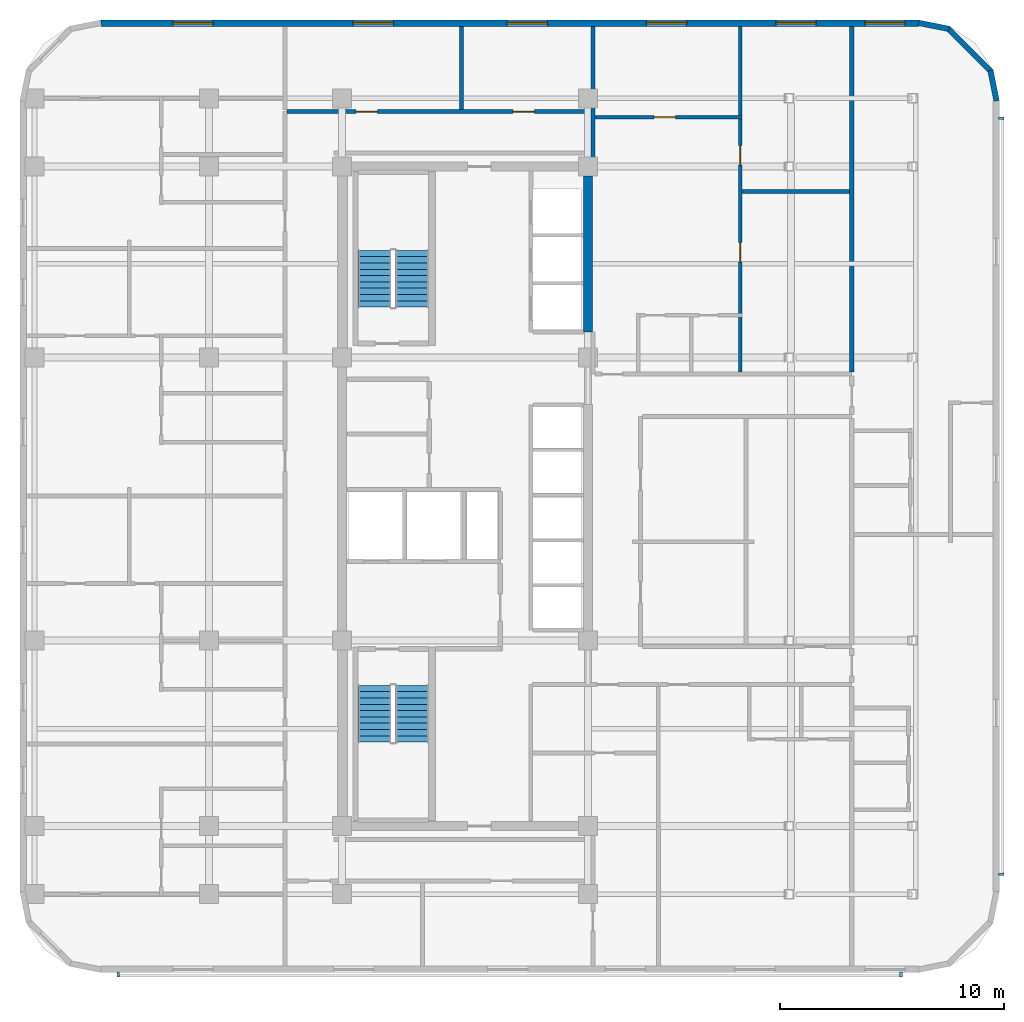
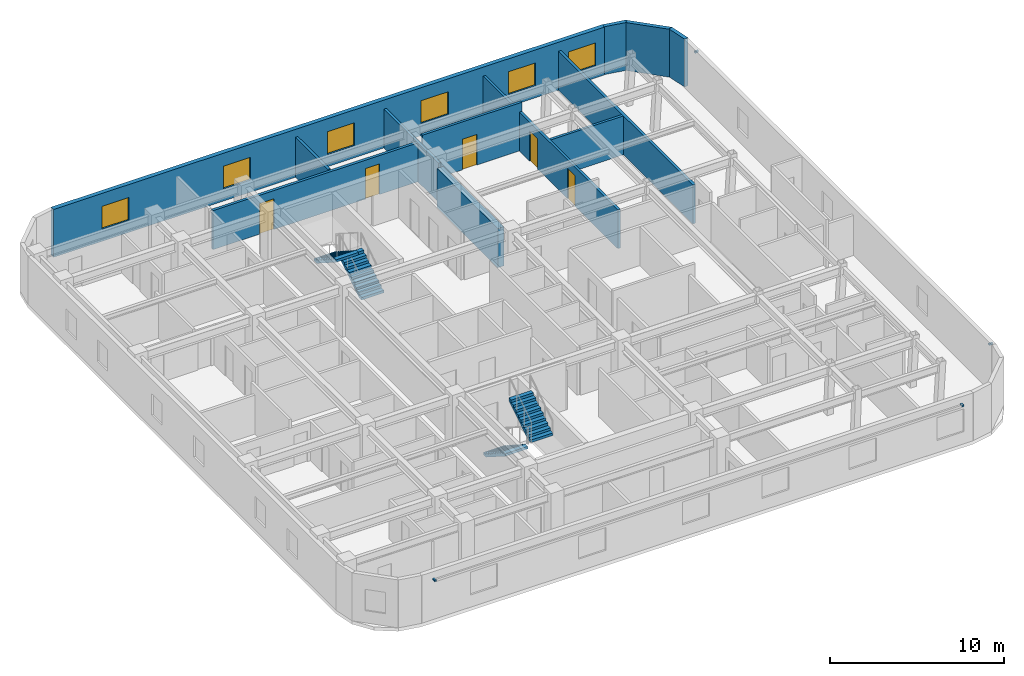
# One storey, part 7 of 11: 12 walls, 6 windows, 5 doors, 4 discrete accessories, 4 stair flights, 11 openings, 2 elements without a shape of their own.
"""IFC4 building model written with IfcOpenShell, lengths in metres."""

from ifc_helpers import new_model, si_unit, direction, frame, frame_2d, origin, origin_2d, place, context, subcontext, project, spatial, polyline, rectangle, outline, extrude, material, layer, layer_set, type_object, element, fill, aggregate, save


model = new_model("IFC4")

# Units and contexts
model_context = context("Model", 3, precision=1e-05, world=origin(), true_north=direction((0.0, 1.0)))
body_context = subcontext(model_context, "Body", "Model", "MODEL_VIEW")
ifc_project = project(units=[si_unit("LENGTHUNIT", "METRE"), si_unit("AREAUNIT", "SQUARE_METRE"), si_unit("VOLUMEUNIT", "CUBIC_METRE"), si_unit("PLANEANGLEUNIT", "RADIAN"), si_unit("MASSUNIT", "GRAM", prefix="KILO")], contexts=[model_context])

# Site, building, storey
site_placement = place(None, origin())
site = spatial("IfcSite", under=ifc_project, at=site_placement, CompositionType="ELEMENT")
building_placement = place(site_placement, origin())
building = spatial("IfcBuilding", under=site, at=building_placement, Name="Ochreholt Gables", CompositionType="ELEMENT")
storey_placement = place(building_placement, frame((0.0, 0.0, 121.199951171875)))
storey = spatial("IfcBuildingStorey", under=building, at=storey_placement, Name="L31", CompositionType="ELEMENT", Elevation=121.199951171875)

# Wall
ifc_material_1 = material(Name="Concrete 60 MPa", Category="concrete")
ifc_layer_1 = layer(ifc_material_1, 0.39990234375, Name="Concrete 60 MPa")
ifc_layer_set_1 = layer_set([ifc_layer_1], Name="Concrete 60 MPa")
wall_type_1 = type_object("IfcWallType", Name="WALL-CSW-400", PredefinedType="SHEAR", material=ifc_layer_set_1)
wall_1_placement = place(storey_placement, frame((35.199951171875, 31.35009765625, 0.0), z_axis=(0.0, 0.0, 1.0), x_axis=(0.0, 1.0, 0.0)))
element("IfcWall", 1, at=wall_1_placement, inside=storey, type_object=wall_type_1, Name="L31 Core North-East Shear Wall", PredefinedType="SHEAR", context=body_context, shape_type="SweptSolid", body=[
    extrude(rectangle(XDim=6.974853515625, YDim=0.39990234375, at=frame_2d((3.4873046875, 0.0))), origin(), (0.0, 0.0, 1.0), 2.7490234375),
])

# Wall, openings, windows
ifc_material_2 = material(Name="Precast concrete 40 MPa", Category="concrete")
ifc_layer_2 = layer(ifc_material_2, 0.280029296875, Name="Precast concrete 40 MPa")
ifc_layer_set_2 = layer_set([ifc_layer_2], Name="Precast concrete 40 MPa")
wall_type_2 = type_object("IfcWallType", Name="WALL-EXT-280", PredefinedType="SOLIDWALL", material=ifc_layer_set_2)
wall_2_placement = place(storey_placement, frame((49.97998046875, 45.159912109375, 0.0), z_axis=(0.0, 0.0, 1.0), x_axis=(-1.0, 0.0, 0.0)))
wall_2 = element("IfcWall", 2, at=wall_2_placement, inside=storey, type_object=wall_type_2, Name="L31 North Exterior Wall", PredefinedType="SOLIDWALL", context=body_context, shape_type="SweptSolid", body=[
    extrude(rectangle(XDim=36.56005859375, YDim=0.280029296875, at=frame_2d((18.280029296875, 0.0))), origin(), (0.0, 0.0, 1.0), 3.360107421875),
])
opening_1_placement = place(wall_2_placement, frame((31.544921875, 0.0, 0.85009765625)))
opening_1 = element("IfcOpeningElement", 3, at=opening_1_placement, cuts=wall_2, Name="Opening WN-1", PredefinedType="OPENING", context=body_context, shape_type="SweptSolid", body=[
    extrude(rectangle(XDim=1.800048828125, YDim=1.60009765625, at=frame_2d((0.89990234375, 0.800048828125))), frame((0.0, 0.14990234375, 0.0), z_axis=(0.0, -1.0, 0.0), x_axis=(1.0, 0.0, 0.0)), (0.0, 0.0, 1.0), 0.300048828125),
])
opening_2_placement = place(wall_2_placement, frame((23.47998046875, 0.0, 0.85009765625)))
opening_2 = element("IfcOpeningElement", 4, at=opening_2_placement, cuts=wall_2, Name="Opening WN-1", PredefinedType="OPENING", context=body_context, shape_type="SweptSolid", body=[
    extrude(rectangle(XDim=1.800048828125, YDim=1.60009765625, at=frame_2d((0.89990234375, 0.800048828125))), frame((0.0, 0.14990234375, 0.0), z_axis=(0.0, -1.0, 0.0), x_axis=(1.0, 0.0, 0.0)), (0.0, 0.0, 1.0), 0.300048828125),
])
opening_3_placement = place(wall_2_placement, frame((16.594970703125, 0.0, 0.85009765625)))
opening_3 = element("IfcOpeningElement", 5, at=opening_3_placement, cuts=wall_2, Name="Opening WN-1", PredefinedType="OPENING", context=body_context, shape_type="SweptSolid", body=[
    extrude(rectangle(XDim=1.800048828125, YDim=1.60009765625, at=frame_2d((0.89990234375, 0.800048828125))), frame((0.0, 0.14990234375, 0.0), z_axis=(0.0, -1.0, 0.0), x_axis=(1.0, 0.0, 0.0)), (0.0, 0.0, 1.0), 0.300048828125),
])
opening_4_placement = place(wall_2_placement, frame((10.364990234375, 0.0, 0.85009765625)))
opening_4 = element("IfcOpeningElement", 6, at=opening_4_placement, cuts=wall_2, Name="Opening WN-1", PredefinedType="OPENING", context=body_context, shape_type="SweptSolid", body=[
    extrude(rectangle(XDim=1.800048828125, YDim=1.60009765625, at=frame_2d((0.89990234375, 0.800048828125))), frame((0.0, 0.14990234375, 0.0), z_axis=(0.0, -1.0, 0.0), x_axis=(1.0, 0.0, 0.0)), (0.0, 0.0, 1.0), 0.300048828125),
])
opening_5_placement = place(wall_2_placement, frame((4.574951171875, 0.0, 0.85009765625)))
opening_5 = element("IfcOpeningElement", 7, at=opening_5_placement, cuts=wall_2, Name="Opening WN-1", PredefinedType="OPENING", context=body_context, shape_type="SweptSolid", body=[
    extrude(rectangle(XDim=1.800048828125, YDim=1.60009765625, at=frame_2d((0.89990234375, 0.800048828125))), frame((0.0, 0.14990234375, 0.0), z_axis=(0.0, -1.0, 0.0), x_axis=(1.0, 0.0, 0.0)), (0.0, 0.0, 1.0), 0.300048828125),
])
opening_6_placement = place(wall_2_placement, frame((0.590087890625, 0.0, 0.85009765625)))
opening_6 = element("IfcOpeningElement", 8, at=opening_6_placement, cuts=wall_2, Name="Opening WN-1", PredefinedType="OPENING", context=body_context, shape_type="SweptSolid", body=[
    extrude(rectangle(XDim=1.800048828125, YDim=1.60009765625, at=frame_2d((0.89990234375, 0.800048828125))), frame((0.0, 0.14990234375, 0.0), z_axis=(0.0, -1.0, 0.0), x_axis=(1.0, 0.0, 0.0)), (0.0, 0.0, 1.0), 0.300048828125),
])
ifc_material_3 = material(Name="Triple-Glazed Thermally Broken Aluminium Window", Category="aluminium")
window_type = type_object("IfcWindowType", Name="WIN-RES-1800", PartitioningType="SINGLE_PANEL", PredefinedType="WINDOW", material=ifc_material_3)
window_1_placement = place(opening_1_placement, origin())
window_1 = element("IfcWindow", 9, at=window_1_placement, inside=storey, type_object=window_type, Name="L31 Window W-EXT-N-L31-1", OverallHeight=1.60009765625, OverallWidth=1.800048828125, PartitioningType="SINGLE_PANEL", PredefinedType="WINDOW", context=body_context, shape_type="SweptSolid", body=[
    extrude(rectangle(XDim=1.800048828125, YDim=1.60009765625, at=frame_2d((0.89990234375, 0.800048828125))), frame((0.0, 0.030029296875, 0.0), z_axis=(0.0, -1.0, 0.0), x_axis=(1.0, 0.0, 0.0)), (0.0, 0.0, 1.0), 0.06005859375),
])
fill(opening_1, window_1)
window_2_placement = place(opening_2_placement, origin())
window_2 = element("IfcWindow", 10, at=window_2_placement, inside=storey, type_object=window_type, Name="L31 Window W-EXT-N-L31-2", OverallHeight=1.60009765625, OverallWidth=1.800048828125, PartitioningType="SINGLE_PANEL", PredefinedType="WINDOW", context=body_context, shape_type="SweptSolid", body=[
    extrude(rectangle(XDim=1.800048828125, YDim=1.60009765625, at=frame_2d((0.89990234375, 0.800048828125))), frame((0.0, 0.030029296875, 0.0), z_axis=(0.0, -1.0, 0.0), x_axis=(1.0, 0.0, 0.0)), (0.0, 0.0, 1.0), 0.06005859375),
])
fill(opening_2, window_2)
window_3_placement = place(opening_3_placement, origin())
window_3 = element("IfcWindow", 11, at=window_3_placement, inside=storey, type_object=window_type, Name="L31 Window W-EXT-N-L31-3", OverallHeight=1.60009765625, OverallWidth=1.800048828125, PartitioningType="SINGLE_PANEL", PredefinedType="WINDOW", context=body_context, shape_type="SweptSolid", body=[
    extrude(rectangle(XDim=1.800048828125, YDim=1.60009765625, at=frame_2d((0.89990234375, 0.800048828125))), frame((0.0, 0.030029296875, 0.0), z_axis=(0.0, -1.0, 0.0), x_axis=(1.0, 0.0, 0.0)), (0.0, 0.0, 1.0), 0.06005859375),
])
fill(opening_3, window_3)
window_4_placement = place(opening_4_placement, origin())
window_4 = element("IfcWindow", 12, at=window_4_placement, inside=storey, type_object=window_type, Name="L31 Window W-EXT-N-L31-4", OverallHeight=1.60009765625, OverallWidth=1.800048828125, PartitioningType="SINGLE_PANEL", PredefinedType="WINDOW", context=body_context, shape_type="SweptSolid", body=[
    extrude(rectangle(XDim=1.800048828125, YDim=1.60009765625, at=frame_2d((0.89990234375, 0.800048828125))), frame((0.0, 0.030029296875, 0.0), z_axis=(0.0, -1.0, 0.0), x_axis=(1.0, 0.0, 0.0)), (0.0, 0.0, 1.0), 0.06005859375),
])
fill(opening_4, window_4)
window_5_placement = place(opening_5_placement, origin())
window_5 = element("IfcWindow", 13, at=window_5_placement, inside=storey, type_object=window_type, Name="L31 Window W-EXT-N-L31-5", OverallHeight=1.60009765625, OverallWidth=1.800048828125, PartitioningType="SINGLE_PANEL", PredefinedType="WINDOW", context=body_context, shape_type="SweptSolid", body=[
    extrude(rectangle(XDim=1.800048828125, YDim=1.60009765625, at=frame_2d((0.89990234375, 0.800048828125))), frame((0.0, 0.030029296875, 0.0), z_axis=(0.0, -1.0, 0.0), x_axis=(1.0, 0.0, 0.0)), (0.0, 0.0, 1.0), 0.06005859375),
])
fill(opening_5, window_5)
window_6_placement = place(opening_6_placement, origin())
window_6 = element("IfcWindow", 14, at=window_6_placement, inside=storey, type_object=window_type, Name="L31 Window W-EXT-N-L31-6", OverallHeight=1.60009765625, OverallWidth=1.800048828125, PartitioningType="SINGLE_PANEL", PredefinedType="WINDOW", context=body_context, shape_type="SweptSolid", body=[
    extrude(rectangle(XDim=1.800048828125, YDim=1.60009765625, at=frame_2d((0.89990234375, 0.800048828125))), frame((0.0, 0.030029296875, 0.0), z_axis=(0.0, -1.0, 0.0), x_axis=(1.0, 0.0, 0.0)), (0.0, 0.0, 1.0), 0.06005859375),
])
fill(opening_6, window_6)

# Walls
ifc_layer_3 = layer(ifc_material_2, 0.25, Name="Precast concrete 40 MPa")
ifc_layer_set_3 = layer_set([ifc_layer_3], Name="Precast concrete 40 MPa")
wall_type_3 = type_object("IfcWallType", Name="WALL-EXT-CNR", PredefinedType="SOLIDWALL", material=ifc_layer_set_3)
wall_3_placement = place(storey_placement, frame((53.475830078125, 41.68359375, 0.0), z_axis=(0.0, 0.0, 1.0), x_axis=(-0.195000137217, 0.980803214965, 0.0)))
element("IfcWall", 15, at=wall_3_placement, inside=storey, type_object=wall_type_3, Name="L31 Rounded Corner Wall NE-1", PredefinedType="SOLIDWALL", context=body_context, shape_type="SweptSolid", body=[
    extrude(rectangle(XDim=1.388427734375, YDim=0.25, at=frame_2d((0.6943359375, 0.0))), origin(), (0.0, 0.0, 1.0), 3.360107421875),
])
wall_4_placement = place(storey_placement, frame((53.23193359375, 42.9951171875, 0.0), z_axis=(0.0, 0.0, 1.0), x_axis=(-0.707151344399, 0.707062215165, 0.0)))
element("IfcWall", 16, at=wall_4_placement, inside=storey, type_object=wall_type_3, Name="L31 Rounded Corner Wall NE-2", PredefinedType="SOLIDWALL", context=body_context, shape_type="SweptSolid", body=[
    extrude(rectangle(XDim=2.7392578125, YDim=0.25, at=frame_2d((1.36962890625, 0.0))), origin(), (0.0, 0.0, 1.0), 3.360107421875),
])
wall_5_placement = place(storey_placement, frame((51.345458984375, 44.905029296875, 0.0), z_axis=(0.0, 0.0, 1.0), x_axis=(-0.980809899341, 0.19496651342, 0.0)))
element("IfcWall", 17, at=wall_5_placement, inside=storey, type_object=wall_type_3, Name="L31 Rounded Corner Wall NE-3", PredefinedType="SOLIDWALL", context=body_context, shape_type="SweptSolid", body=[
    extrude(rectangle(XDim=1.388671875, YDim=0.25, at=frame_2d((0.6943359375, 0.0))), origin(), (0.0, 0.0, 1.0), 3.360107421875),
])

# Wall, openings, doors
ifc_material_4 = material(Name="Fire-Rated Gypsum Acoustic Partition", Category="gypsum")
ifc_layer_4 = layer(ifc_material_4, 0.179931640625, Name="Fire-Rated Gypsum Acoustic Partition")
ifc_layer_set_4 = layer_set([ifc_layer_4], Name="Fire-Rated Gypsum Acoustic Partition")
wall_type_4 = type_object("IfcWallType", Name="WALL-INT-CR180", PredefinedType="STANDARD", material=ifc_layer_set_4)
wall_6_placement = place(storey_placement, frame((21.739990234375, 41.199951171875, 0.0), z_axis=(0.0, 0.0, 1.0), x_axis=(1.0, 0.0, 0.0)))
wall_6 = element("IfcWall", 18, at=wall_6_placement, inside=storey, type_object=wall_type_4, Name="L31 Interior Wall WI-C2WCN-L31", PredefinedType="STANDARD", context=body_context, shape_type="SweptSolid", body=[
    extrude(rectangle(XDim=13.679931640625, YDim=0.179931640625, at=frame_2d((6.83984375, 0.0))), origin(), (0.0, 0.0, 1.0), 2.73095703125),
])
opening_7_placement = place(wall_6_placement, frame((3.090087890625, 0.0, 0.0)))
opening_7 = element("IfcOpeningElement", 19, at=opening_7_placement, cuts=wall_6, Name="Opening D-GN1", PredefinedType="OPENING", context=body_context, shape_type="SweptSolid", body=[
    extrude(rectangle(XDim=0.949951171875, YDim=2.14990234375, at=frame_2d((0.47509765625, 1.074951171875))), frame((0.0, 0.099853515625, 0.0), z_axis=(0.0, -1.0, 0.0), x_axis=(1.0, 0.0, 0.0)), (0.0, 0.0, 1.0), 0.199951171875),
])
opening_8_placement = place(wall_6_placement, frame((10.110107421875, 0.0, 0.0)))
opening_8 = element("IfcOpeningElement", 20, at=opening_8_placement, cuts=wall_6, Name="Opening D-GN1", PredefinedType="OPENING", context=body_context, shape_type="SweptSolid", body=[
    extrude(rectangle(XDim=0.949951171875, YDim=2.14990234375, at=frame_2d((0.47509765625, 1.074951171875))), frame((0.0, 0.099853515625, 0.0), z_axis=(0.0, -1.0, 0.0), x_axis=(1.0, 0.0, 0.0)), (0.0, 0.0, 1.0), 0.199951171875),
])
ifc_material_5 = material(Name="Engineered Oak Timber", Category="wood")
door_type_1 = type_object("IfcDoorType", Name="DR-INT-GEN950", OperationType="NOTDEFINED", PredefinedType="DOOR", material=ifc_material_5)
door_1_placement = place(opening_7_placement, origin())
door_1 = element("IfcDoor", 21, at=door_1_placement, inside=storey, type_object=door_type_1, Name="L31 Door D-C2NRS1-L31", OperationType="SINGLE_SWING_RIGHT", OverallHeight=2.14990234375, OverallWidth=0.949951171875, PredefinedType="DOOR", context=body_context, shape_type="SweptSolid", body=[
    extrude(rectangle(XDim=0.949951171875, YDim=2.14990234375, at=frame_2d((0.47509765625, 1.074951171875))), frame((0.0, 0.02490234375, 0.0), z_axis=(0.0, -1.0, 0.0), x_axis=(1.0, 0.0, 0.0)), (0.0, 0.0, 1.0), 0.050048828125),
])
fill(opening_7, door_1)
door_2_placement = place(opening_8_placement, origin())
door_2 = element("IfcDoor", 22, at=door_2_placement, inside=storey, type_object=door_type_1, Name="L31 Door D-C2NRS2-L31", OperationType="SINGLE_SWING_LEFT", OverallHeight=2.14990234375, OverallWidth=0.949951171875, PredefinedType="DOOR", context=body_context, shape_type="SweptSolid", body=[
    extrude(rectangle(XDim=0.949951171875, YDim=2.14990234375, at=frame_2d((0.47509765625, 1.074951171875))), frame((0.0, 0.02490234375, 0.0), z_axis=(0.0, -1.0, 0.0), x_axis=(1.0, 0.0, 0.0)), (0.0, 0.0, 1.0), 0.050048828125),
])
fill(opening_8, door_2)

# Walls
ifc_material_6 = material(Name="Double-Stud Acoustic Demising Wall", Category="gypsum")
ifc_layer_5 = layer(ifc_material_6, 0.179931640625, Name="Double-Stud Acoustic Demising Wall")
ifc_layer_set_5 = layer_set([ifc_layer_5], Name="Double-Stud Acoustic Demising Wall")
wall_type_5 = type_object("IfcWallType", Name="WALL-INT-DM180", PredefinedType="PARTITIONING", material=ifc_layer_set_5)
wall_7_placement = place(storey_placement, frame((35.419921875, 38.75, 0.0), z_axis=(0.0, 0.0, 1.0), x_axis=(0.0, 1.0, 0.0)))
element("IfcWall", 23, at=wall_7_placement, inside=storey, type_object=wall_type_5, Name="L31 Interior Wall WI-C2NEN-L31", PredefinedType="PARTITIONING", context=body_context, shape_type="SweptSolid", body=[
    extrude(rectangle(XDim=6.27001953125, YDim=0.179931640625, at=frame_2d((3.135009765625, 0.0))), origin(), (0.0, 0.0, 1.0), 2.73095703125),
])
wall_8_placement = place(storey_placement, frame((47.0, 29.550048828125, 0.0), z_axis=(0.0, 0.0, 1.0), x_axis=(0.0, 1.0, 0.0)))
element("IfcWall", 24, at=wall_8_placement, inside=storey, type_object=wall_type_5, Name="L31 Interior Wall WI-C2FEW3-L31", PredefinedType="PARTITIONING", context=body_context, shape_type="SweptSolid", body=[
    extrude(rectangle(XDim=15.469970703125, YDim=0.179931640625, at=frame_2d((7.73486328125, 0.0))), origin(), (0.0, 0.0, 1.0), 2.73095703125),
])

# Wall, openings, doors
ifc_material_7 = material(Name="Gypsum Acoustic Stud Partition", Category="gypsum")
ifc_layer_6 = layer(ifc_material_7, 0.1650390625, Name="Gypsum Acoustic Stud Partition")
ifc_layer_set_6 = layer_set([ifc_layer_6], Name="Gypsum Acoustic Stud Partition")
wall_type_6 = type_object("IfcWallType", Name="WALL-INT-PT165", PredefinedType="PARTITIONING", material=ifc_layer_set_6)
wall_9_placement = place(storey_placement, frame((42.010009765625, 29.550048828125, 0.0), z_axis=(0.0, 0.0, 1.0), x_axis=(0.0, 1.0, 0.0)))
wall_9 = element("IfcWall", 25, at=wall_9_placement, inside=storey, type_object=wall_type_6, Name="L31 Interior Wall WU-L31N1-MNX", PredefinedType="PARTITIONING", context=body_context, shape_type="SweptSolid", body=[
    extrude(rectangle(XDim=15.469970703125, YDim=0.1650390625, at=frame_2d((7.73486328125, 0.0))), origin(), (0.0, 0.0, 1.0), 2.73095703125),
])
opening_9_placement = place(wall_9_placement, frame((4.91748046875, 0.0, 0.0)))
opening_9 = element("IfcOpeningElement", 26, at=opening_9_placement, cuts=wall_9, Name="Opening D-BD2", PredefinedType="OPENING", context=body_context, shape_type="SweptSolid", body=[
    extrude(rectangle(XDim=0.8798828125, YDim=2.139892578125, at=frame_2d((0.43994140625, 1.06982421875))), frame((0.0, 0.092529296875, 0.0), z_axis=(0.0, -1.0, 0.0), x_axis=(1.0, 0.0, 0.0)), (0.0, 0.0, 1.0), 0.18505859375),
])
opening_10_placement = place(wall_9_placement, frame((9.2548828125, 0.0, 0.0)))
opening_10 = element("IfcOpeningElement", 27, at=opening_10_placement, cuts=wall_9, Name="Opening D-BD2", PredefinedType="OPENING", context=body_context, shape_type="SweptSolid", body=[
    extrude(rectangle(XDim=0.8798828125, YDim=2.139892578125, at=frame_2d((0.43994140625, 1.06982421875))), frame((0.0, 0.092529296875, 0.0), z_axis=(0.0, -1.0, 0.0), x_axis=(1.0, 0.0, 0.0)), (0.0, 0.0, 1.0), 0.18505859375),
])
door_type_2 = type_object("IfcDoorType", Name="DR-INT-BED880", OperationType="NOTDEFINED", PredefinedType="DOOR", material=ifc_material_5)
door_3_placement = place(opening_9_placement, origin())
door_3 = element("IfcDoor", 28, at=door_3_placement, inside=storey, type_object=door_type_2, Name="L31 Door D-U-L31N1-BD1", OperationType="SINGLE_SWING_LEFT", OverallHeight=2.139892578125, OverallWidth=0.8798828125, PredefinedType="DOOR", context=body_context, shape_type="SweptSolid", body=[
    extrude(rectangle(XDim=0.8798828125, YDim=2.139892578125, at=frame_2d((0.43994140625, 1.06982421875))), frame((0.0, 0.02490234375, 0.0), z_axis=(0.0, -1.0, 0.0), x_axis=(1.0, 0.0, 0.0)), (0.0, 0.0, 1.0), 0.050048828125),
])
fill(opening_9, door_3)
door_4_placement = place(opening_10_placement, origin())
door_4 = element("IfcDoor", 29, at=door_4_placement, inside=storey, type_object=door_type_2, Name="L31 Door D-U-L31N1-BD2", OperationType="SINGLE_SWING_RIGHT", OverallHeight=2.139892578125, OverallWidth=0.8798828125, PredefinedType="DOOR", context=body_context, shape_type="SweptSolid", body=[
    extrude(rectangle(XDim=0.8798828125, YDim=2.139892578125, at=frame_2d((0.43994140625, 1.06982421875))), frame((0.0, 0.02490234375, 0.0), z_axis=(0.0, -1.0, 0.0), x_axis=(1.0, 0.0, 0.0)), (0.0, 0.0, 1.0), 0.050048828125),
])
fill(opening_10, door_4)

# Wall, opening, door
wall_10_placement = place(storey_placement, frame((35.510009765625, 40.949951171875, 0.0), z_axis=(0.0, 0.0, 1.0), x_axis=(1.0, 0.0, 0.0)))
wall_10 = element("IfcWall", 30, at=wall_10_placement, inside=storey, type_object=wall_type_6, Name="L31 Interior Wall WU-L31N1-DNY", PredefinedType="PARTITIONING", context=body_context, shape_type="SweptSolid", body=[
    extrude(rectangle(XDim=6.580078125, YDim=0.1650390625, at=frame_2d((3.2900390625, 0.0))), origin(), (0.0, 0.0, 1.0), 3.360107421875),
])
opening_11_placement = place(wall_10_placement, frame((2.655029296875, 0.0, 0.0)))
opening_11 = element("IfcOpeningElement", 31, at=opening_11_placement, cuts=wall_10, Name="Opening D-GN1", PredefinedType="OPENING", context=body_context, shape_type="SweptSolid", body=[
    extrude(rectangle(XDim=0.949951171875, YDim=2.14990234375, at=frame_2d((0.47509765625, 1.074951171875))), frame((0.0, 0.092529296875, 0.0), z_axis=(0.0, -1.0, 0.0), x_axis=(1.0, 0.0, 0.0)), (0.0, 0.0, 1.0), 0.18505859375),
])
door_5_placement = place(opening_11_placement, origin())
door_5 = element("IfcDoor", 32, at=door_5_placement, inside=storey, type_object=door_type_1, Name="L31 Door D-U-L31N1-DIN", OperationType="SINGLE_SWING_RIGHT", OverallHeight=2.14990234375, OverallWidth=0.949951171875, PredefinedType="DOOR", context=body_context, shape_type="SweptSolid", body=[
    extrude(rectangle(XDim=0.949951171875, YDim=2.14990234375, at=frame_2d((0.47509765625, 1.074951171875))), frame((0.0, 0.02490234375, 0.0), z_axis=(0.0, -1.0, 0.0), x_axis=(1.0, 0.0, 0.0)), (0.0, 0.0, 1.0), 0.050048828125),
])
fill(opening_11, door_5)

# Walls
wall_11_placement = place(storey_placement, frame((42.090087890625, 37.6298828125, 0.0), z_axis=(0.0, 0.0, 1.0), x_axis=(1.0, 0.0, 0.0)))
element("IfcWall", 33, at=wall_11_placement, inside=storey, type_object=wall_type_6, Name="L31 Interior Wall WU-L31N1-RDV", PredefinedType="PARTITIONING", context=body_context, shape_type="SweptSolid", body=[
    extrude(rectangle(XDim=4.81982421875, YDim=0.1650390625, at=frame_2d((2.409912109375, 0.0))), origin(), (0.0, 0.0, 1.0), 2.73095703125),
])
wall_12_placement = place(storey_placement, frame((29.550048828125, 41.2900390625, 0.0), z_axis=(0.0, 0.0, 1.0), x_axis=(0.0, 1.0, 0.0)))
element("IfcWall", 34, at=wall_12_placement, inside=storey, type_object=wall_type_6, Name="L31 Interior Wall WI-C2PKN-L31", PredefinedType="PARTITIONING", context=body_context, shape_type="SweptSolid", body=[
    extrude(rectangle(XDim=3.72998046875, YDim=0.1650390625, at=frame_2d((1.864990234375, 0.0))), origin(), (0.0, 0.0, 1.0), 2.80908203125),
])

# Stair, stair flights
ifc_material_8 = material(Name="Concrete 40 MPa", Category="concrete")
stair_type_1 = type_object("IfcStairType", Name="STAIR-CORE-ST-1", PredefinedType="HALF_TURN_STAIR", material=ifc_material_8)
stair_1_placement = place(storey_placement, origin())
stair_1 = element("IfcStair", 35, at=stair_1_placement, inside=storey, type_object=stair_type_1, Name="L31 Core Exit Stair 1", PredefinedType="HALF_TURN_STAIR")
stair_flight_type = type_object("IfcStairFlightType", Name="FLIGHT-ST-1480-1800", PredefinedType="STRAIGHT", material=ifc_material_8)
stair_flight_1_placement = place(storey_placement, frame((25.659912109375, 15.5400390625, 0.0), z_axis=(0.0, 0.0, 1.0), x_axis=(0.0, -1.0, 0.0)))
stair_flight_1 = element("IfcStairFlight", 36, at=stair_flight_1_placement, type_object=stair_flight_type, Name="ST-1 flight 1", NumberOfRisers=10, NumberOfTreads=9, PredefinedType="STRAIGHT", RiserHeight=0.18, TreadLength=0.282, context=body_context, shape_type="SweptSolid", body=[
    extrude(outline(polyline([(0.0, 0.0), (0.0, 0.179931640625), (0.281982421875, 0.179931640625), (0.281982421875, 0.360107421875), (0.56396484375, 0.360107421875), (0.56396484375, 0.5400390625), (0.845947265625, 0.5400390625), (0.845947265625, 0.719970703125), (1.1279296875, 0.719970703125), (1.1279296875, 0.89990234375), (1.409912109375, 0.89990234375), (1.409912109375, 1.080078125), (1.69189453125, 1.080078125), (1.69189453125, 1.260009765625), (1.97412109375, 1.260009765625), (1.97412109375, 1.43994140625), (2.256103515625, 1.43994140625), (2.256103515625, 1.6201171875), (2.5380859375, 1.6201171875), (2.5380859375, 1.800048828125), (2.5380859375, 1.442138671875), (0.278564453125, 0.0), (0.0, 0.0)])), frame((0.0, 0.739990234375, 0.0), z_axis=(0.0, -1.0, 0.0), x_axis=(1.0, 0.0, 0.0)), (0.0, 0.0, 1.0), 1.47998046875),
])
stair_flight_2_placement = place(storey_placement, frame((27.340087890625, 13.001953125, 1.800048828125), z_axis=(0.0, 0.0, 1.0), x_axis=(0.0, 1.0, 0.0)))
stair_flight_2 = element("IfcStairFlight", 37, at=stair_flight_2_placement, type_object=stair_flight_type, Name="ST-1 flight 2", NumberOfRisers=10, NumberOfTreads=9, PredefinedType="STRAIGHT", RiserHeight=0.18, TreadLength=0.282, context=body_context, shape_type="SweptSolid", body=[
    extrude(outline(polyline([(0.0, 0.0), (0.0, 0.179931640625), (0.281982421875, 0.179931640625), (0.281982421875, 0.360107421875), (0.56396484375, 0.360107421875), (0.56396484375, 0.5400390625), (0.845947265625, 0.5400390625), (0.845947265625, 0.719970703125), (1.1279296875, 0.719970703125), (1.1279296875, 0.89990234375), (1.409912109375, 0.89990234375), (1.409912109375, 1.080078125), (1.69189453125, 1.080078125), (1.69189453125, 1.260009765625), (1.97412109375, 1.260009765625), (1.97412109375, 1.43994140625), (2.256103515625, 1.43994140625), (2.256103515625, 1.6201171875), (2.5380859375, 1.6201171875), (2.5380859375, 1.800048828125), (2.5380859375, 1.442138671875), (0.278564453125, 0.0), (0.0, 0.0)])), frame((0.0, 0.739990234375, 0.0), z_axis=(0.0, -1.0, 0.0), x_axis=(1.0, 0.0, 0.0)), (0.0, 0.0, 1.0), 1.47998046875),
])
aggregate(stair_1, [stair_flight_1, stair_flight_2])

stair_type_2 = type_object("IfcStairType", Name="STAIR-CORE-ST-2", PredefinedType="HALF_TURN_STAIR", material=ifc_material_8)
stair_2_placement = place(storey_placement, origin())
stair_2 = element("IfcStair", 38, at=stair_2_placement, inside=storey, type_object=stair_type_2, Name="L31 Core Exit Stair 2", PredefinedType="HALF_TURN_STAIR")
stair_flight_3_placement = place(storey_placement, frame((27.340087890625, 32.4599609375, 0.0), z_axis=(0.0, 0.0, 1.0), x_axis=(0.0, 1.0, 0.0)))
stair_flight_3 = element("IfcStairFlight", 39, at=stair_flight_3_placement, type_object=stair_flight_type, Name="ST-2 flight 1", NumberOfRisers=10, NumberOfTreads=9, PredefinedType="STRAIGHT", RiserHeight=0.18, TreadLength=0.282, context=body_context, shape_type="SweptSolid", body=[
    extrude(outline(polyline([(0.0, 0.0), (0.0, 0.179931640625), (0.281982421875, 0.179931640625), (0.281982421875, 0.360107421875), (0.56396484375, 0.360107421875), (0.56396484375, 0.5400390625), (0.845947265625, 0.5400390625), (0.845947265625, 0.719970703125), (1.1279296875, 0.719970703125), (1.1279296875, 0.89990234375), (1.409912109375, 0.89990234375), (1.409912109375, 1.080078125), (1.69189453125, 1.080078125), (1.69189453125, 1.260009765625), (1.97412109375, 1.260009765625), (1.97412109375, 1.43994140625), (2.256103515625, 1.43994140625), (2.256103515625, 1.6201171875), (2.5380859375, 1.6201171875), (2.5380859375, 1.800048828125), (2.5380859375, 1.442138671875), (0.278564453125, 0.0), (0.0, 0.0)])), frame((0.0, 0.739990234375, 0.0), z_axis=(0.0, -1.0, 0.0), x_axis=(1.0, 0.0, 0.0)), (0.0, 0.0, 1.0), 1.47998046875),
])
stair_flight_4_placement = place(storey_placement, frame((25.659912109375, 34.998046875, 1.800048828125), z_axis=(0.0, 0.0, 1.0), x_axis=(0.0, -1.0, 0.0)))
stair_flight_4 = element("IfcStairFlight", 40, at=stair_flight_4_placement, type_object=stair_flight_type, Name="ST-2 flight 2", NumberOfRisers=10, NumberOfTreads=9, PredefinedType="STRAIGHT", RiserHeight=0.18, TreadLength=0.282, context=body_context, shape_type="SweptSolid", body=[
    extrude(outline(polyline([(0.0, 0.0), (0.0, 0.179931640625), (0.281982421875, 0.179931640625), (0.281982421875, 0.360107421875), (0.56396484375, 0.360107421875), (0.56396484375, 0.5400390625), (0.845947265625, 0.5400390625), (0.845947265625, 0.719970703125), (1.1279296875, 0.719970703125), (1.1279296875, 0.89990234375), (1.409912109375, 0.89990234375), (1.409912109375, 1.080078125), (1.69189453125, 1.080078125), (1.69189453125, 1.260009765625), (1.97412109375, 1.260009765625), (1.97412109375, 1.43994140625), (2.256103515625, 1.43994140625), (2.256103515625, 1.6201171875), (2.5380859375, 1.6201171875), (2.5380859375, 1.800048828125), (2.5380859375, 1.442138671875), (0.278564453125, 0.0), (0.0, 0.0)])), frame((0.0, 0.739990234375, 0.0), z_axis=(0.0, -1.0, 0.0), x_axis=(1.0, 0.0, 0.0)), (0.0, 0.0, 1.0), 1.47998046875),
])
aggregate(stair_2, [stair_flight_3, stair_flight_4])

# Discrete accessories
ifc_material_9 = material(Name="Extruded Aluminium Standoff Bracket", Category="aluminium")
discrete_accessory_type = type_object("IfcDiscreteAccessoryType", Name="ACC-BRACKET-AL", PredefinedType="BRACKET", material=ifc_material_9)
for number, where, z_axis, x_axis, name in (
    (41, (14.199951171875, 2.610107421875, 2.780029296875), (0.0, 0.0, 1.0), (1.0, 0.0, 0.0), "L31 Baguette Standoff Bracket S1-1"),
    (42, (49.199951171875, 2.610107421875, 2.780029296875), (0.0, 0.0, 1.0), (1.0, 0.0, 0.0), "L31 Baguette Standoff Bracket S1-2"),
    (43, (53.68994140625, 7.10009765625, 2.780029296875), (0.0, 0.0, 1.0), (0.0, 1.0, 0.0), "L31 Baguette Standoff Bracket E1-1"),
    (44, (53.68994140625, 40.89990234375, 2.780029296875), (0.0, 0.0, 1.0), (0.0, 1.0, 0.0), "L31 Baguette Standoff Bracket E1-2"),
):
    element("IfcDiscreteAccessory", number, at=place(storey_placement, frame(where, z_axis=z_axis, x_axis=x_axis)), inside=storey, type_object=discrete_accessory_type, Name=name, PredefinedType="BRACKET", context=body_context, shape_type="SweptSolid", body=[
        extrude(rectangle(XDim=0.1201171875, YDim=0.239990234375, at=origin_2d()), origin(), (0.0, 0.0, 1.0), 0.1201171875),
    ])

save(model, "model.ifc")
